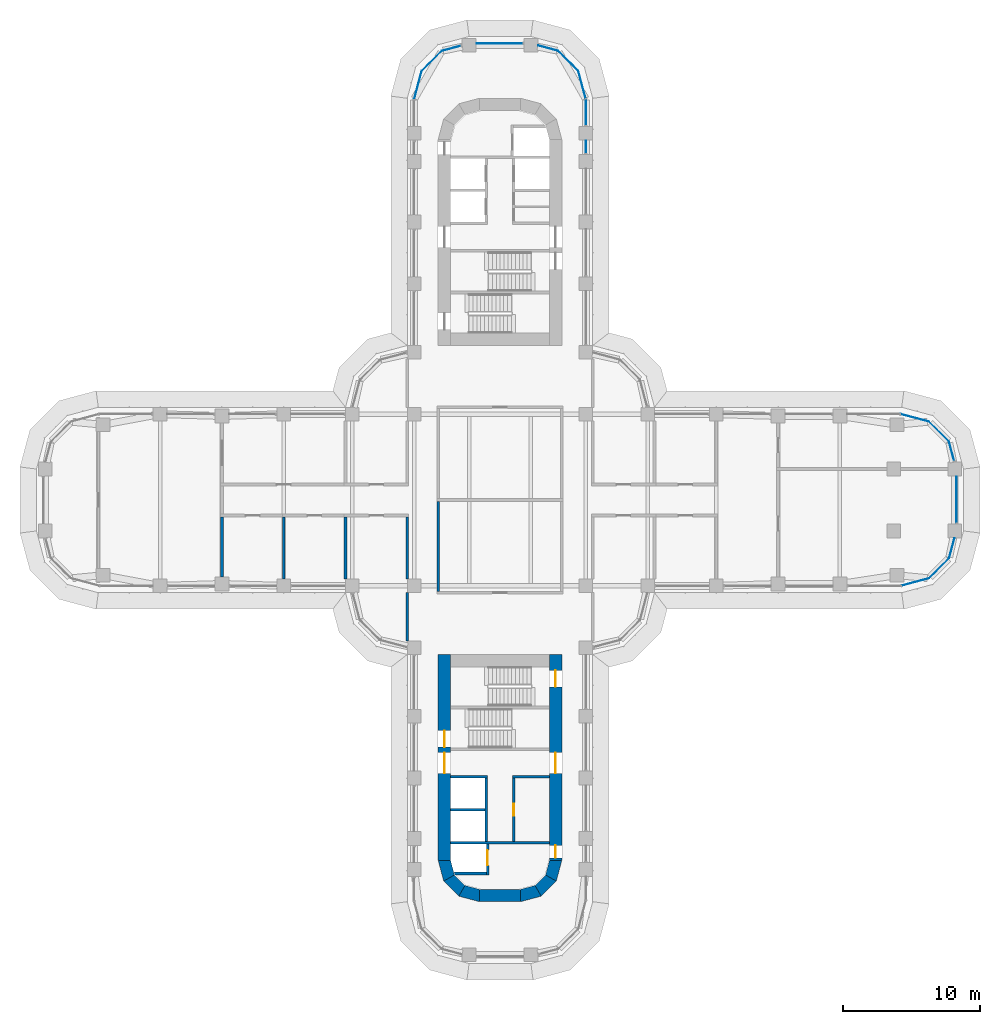
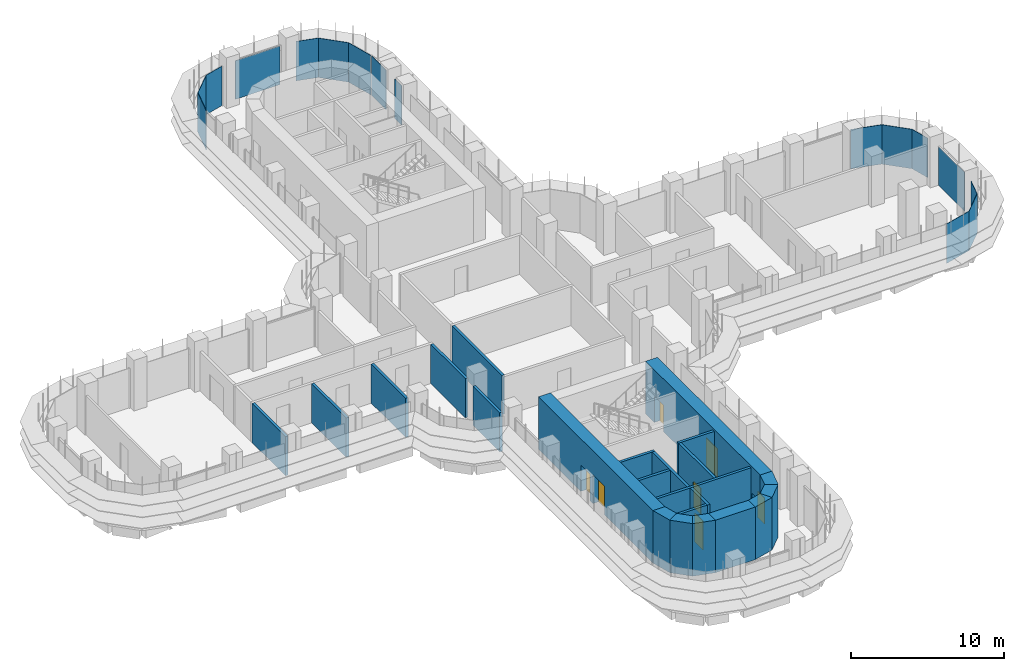
# One storey, part 16 of 23: 23 walls, 16 plates, 7 doors, 7 openings, 15 elements without a shape of their own.
"""IFC4 building model written with IfcOpenShell, lengths in metres."""

from ifc_helpers import new_model, si_unit, direction, frame, frame_2d, origin, place, context, subcontext, project, spatial, polyline, rectangle, outline, extrude, source, transform, mapped, material, layer, layer_set, type_object, element, fill, aggregate, save


model = new_model("IFC4")

# Units and contexts
model_context = context("Model", 3, precision=1e-05, world=origin(), true_north=direction((0.0, 1.0)))
body_context = subcontext(model_context, "Body", "Model", "MODEL_VIEW")
ifc_project = project(units=[si_unit("LENGTHUNIT", "METRE"), si_unit("AREAUNIT", "SQUARE_METRE"), si_unit("VOLUMEUNIT", "CUBIC_METRE"), si_unit("PLANEANGLEUNIT", "RADIAN"), si_unit("MASSUNIT", "GRAM", prefix="KILO")], contexts=[model_context])

# Site, building, storey
site_placement = place(None, origin())
site = spatial("IfcSite", under=ifc_project, at=site_placement, CompositionType="ELEMENT")
building_placement = place(site_placement, origin())
building = spatial("IfcBuilding", under=site, at=building_placement, Name="Zarbagh Exchange Tower", CompositionType="ELEMENT")
storey_placement = place(building_placement, frame((0.0, 0.0, 52.199951171875)))
storey = spatial("IfcBuildingStorey", under=building, at=storey_placement, Name="L11", CompositionType="ELEMENT", Elevation=52.199951171875)

# Curtain wall, plate
ifc_material_1 = material(Name="Anodised aluminium frame and glazing", Category="aluminium")
curtain_wall_type = type_object("IfcCurtainWallType", Name="CWA Ribbon glazing, lower zones", PredefinedType="NOTDEFINED", material=ifc_material_1)
curtain_wall_1_placement = place(storey_placement, origin())
curtain_wall_1 = element("IfcCurtainWall", 1, at=curtain_wall_1_placement, inside=storey, type_object=curtain_wall_type, Name="CWA13 curtain wall", PredefinedType="NOTDEFINED")
ifc_material_2 = material(Name="Low-e double glazed unit, 6+12+6 mm")
ifc_layer_1 = layer(ifc_material_2, 0.028076171875)
ifc_layer_set_1 = layer_set([ifc_layer_1], Name="PAA Glazing panel, Low-e double glazed unit, 6+12+6 mm")
plate_type = type_object("IfcPlateType", Name="PAA Glazing panel, Low-e double glazed unit, 6+12+6 mm", PredefinedType="CURTAIN_PANEL", material=ifc_layer_set_1)
shared_shape_1 = source(origin(), body_context, "Body", "SweptSolid", [
    extrude(outline(polyline([(0.0, -0.013916015625), (1.4423828125, -0.013916015625), (1.4423828125, 0.013916015625), (0.0, 0.013916015625), (0.0, -0.013916015625)])), origin(), (0.0, 0.0, 1.0), 3.14990234375),
])
placement = place(storey_placement, origin())
plate_1 = element("IfcPlate", 2, at=placement, type_object=plate_type, Name="CWA13 glazing panel 1.1", PredefinedType="CURTAIN_PANEL", context=body_context, shape_type="MappedRepresentation", body=[
    mapped(shared_shape_1, transform((33.072021484375, 2.847900390625, 0.0), x_axis=(-0.258824779902, 0.965924289636, 0.0), y_axis=(-0.965924289636, -0.258824779902, 0.0), z_axis=(0.0, 0.0, 1.0))),
])
aggregate(curtain_wall_1, [plate_1])

curtain_wall_2_placement = place(storey_placement, origin())
curtain_wall_2 = element("IfcCurtainWall", 3, at=curtain_wall_2_placement, inside=storey, type_object=curtain_wall_type, Name="CWA25 curtain wall", PredefinedType="NOTDEFINED")
plate_2 = element("IfcPlate", 4, at=placement, type_object=plate_type, Name="CWA25 glazing panel 1.1", PredefinedType="CURTAIN_PANEL", context=body_context, shape_type="MappedRepresentation", body=[
    mapped(shared_shape_1, transform((-2.847900390625, 33.072021484375, 0.0), x_axis=(-0.965924289636, -0.258824779902, 0.0), y_axis=(0.258824779902, -0.965924289636, 0.0), z_axis=(0.0, 0.0, 1.0))),
])
aggregate(curtain_wall_2, [plate_2])

curtain_wall_3_placement = place(storey_placement, origin())
curtain_wall_3 = element("IfcCurtainWall", 5, at=curtain_wall_3_placement, inside=storey, type_object=curtain_wall_type, Name="CWA10 curtain wall", PredefinedType="NOTDEFINED")
shared_shape_2 = source(origin(), body_context, "Body", "SweptSolid", [
    extrude(outline(polyline([(0.0, -0.013916015625), (2.061279296875, -0.013916015625), (2.061279296875, 0.013916015625), (0.0, 0.013916015625), (0.0, -0.013916015625)])), origin(), (0.0, 0.0, 1.0), 3.14990234375),
])
plate_3 = element("IfcPlate", 6, at=placement, type_object=plate_type, Name="CWA10 glazing panel 1.1", PredefinedType="CURTAIN_PANEL", context=body_context, shape_type="MappedRepresentation", body=[
    mapped(shared_shape_2, transform((31.2412109375, -5.69873046875, 0.0), x_axis=(0.707106781187, 0.707106781187, 0.0), y_axis=(-0.707106781187, 0.707106781187, 0.0), z_axis=(0.0, 0.0, 1.0))),
])
aggregate(curtain_wall_3, [plate_3])

curtain_wall_4_placement = place(storey_placement, origin())
curtain_wall_4 = element("IfcCurtainWall", 7, at=curtain_wall_4_placement, inside=storey, type_object=curtain_wall_type, Name="CWA14 curtain wall", PredefinedType="NOTDEFINED")
plate_4 = element("IfcPlate", 8, at=placement, type_object=plate_type, Name="CWA14 glazing panel 1.1", PredefinedType="CURTAIN_PANEL", context=body_context, shape_type="MappedRepresentation", body=[
    mapped(shared_shape_2, transform((32.69873046875, 4.2412109375, 0.0), x_axis=(-0.707106781187, 0.707106781187, 0.0), y_axis=(-0.707106781187, -0.707106781187, 0.0), z_axis=(0.0, 0.0, 1.0))),
])
aggregate(curtain_wall_4, [plate_4])

curtain_wall_5_placement = place(storey_placement, origin())
curtain_wall_5 = element("IfcCurtainWall", 9, at=curtain_wall_5_placement, inside=storey, type_object=curtain_wall_type, Name="CWA22 curtain wall", PredefinedType="NOTDEFINED")
plate_5 = element("IfcPlate", 10, at=placement, type_object=plate_type, Name="CWA22 glazing panel 1.1", PredefinedType="CURTAIN_PANEL", context=body_context, shape_type="MappedRepresentation", body=[
    mapped(shared_shape_2, transform((5.69873046875, 31.2412109375, 0.0), x_axis=(-0.707106781187, 0.707106781187, 0.0), y_axis=(-0.707106781187, -0.707106781187, 0.0), z_axis=(0.0, 0.0, 1.0))),
])
aggregate(curtain_wall_5, [plate_5])

curtain_wall_6_placement = place(storey_placement, origin())
curtain_wall_6 = element("IfcCurtainWall", 11, at=curtain_wall_6_placement, inside=storey, type_object=curtain_wall_type, Name="CWA26 curtain wall", PredefinedType="NOTDEFINED")
plate_6 = element("IfcPlate", 12, at=placement, type_object=plate_type, Name="CWA26 glazing panel 1.1", PredefinedType="CURTAIN_PANEL", context=body_context, shape_type="MappedRepresentation", body=[
    mapped(shared_shape_2, transform((-4.2412109375, 32.69873046875, 0.0), x_axis=(-0.707106781187, -0.707106781187, 0.0), y_axis=(0.707106781187, -0.707106781187, 0.0), z_axis=(0.0, 0.0, 1.0))),
])
aggregate(curtain_wall_6, [plate_6])

curtain_wall_7_placement = place(storey_placement, origin())
curtain_wall_7 = element("IfcCurtainWall", 13, at=curtain_wall_7_placement, inside=storey, type_object=curtain_wall_type, Name="CWA15 curtain wall", PredefinedType="NOTDEFINED")
shared_shape_3 = source(origin(), body_context, "Body", "SweptSolid", [
    extrude(outline(polyline([(0.0, -0.013916015625), (2.129638671875, -0.013916015625), (2.129638671875, 0.013916015625), (0.0, 0.013916015625), (0.0, -0.013916015625)])), origin(), (0.0, 0.0, 1.0), 3.14990234375),
])
plate_7 = element("IfcPlate", 14, at=placement, type_object=plate_type, Name="CWA15 glazing panel 1.1", PredefinedType="CURTAIN_PANEL", context=body_context, shape_type="MappedRepresentation", body=[
    mapped(shared_shape_3, transform((31.2412109375, 5.69873046875, 0.0), x_axis=(-0.965924289636, 0.258824779902, 0.0), y_axis=(-0.258824779902, -0.965924289636, 0.0), z_axis=(0.0, 0.0, 1.0))),
])
aggregate(curtain_wall_7, [plate_7])

curtain_wall_8_placement = place(storey_placement, origin())
curtain_wall_8 = element("IfcCurtainWall", 15, at=curtain_wall_8_placement, inside=storey, type_object=curtain_wall_type, Name="CWA27 curtain wall", PredefinedType="NOTDEFINED")
plate_8 = element("IfcPlate", 16, at=placement, type_object=plate_type, Name="CWA27 glazing panel 1.1", PredefinedType="CURTAIN_PANEL", context=body_context, shape_type="MappedRepresentation", body=[
    mapped(shared_shape_3, transform((-5.69873046875, 31.2412109375, 0.0), x_axis=(-0.258824779902, -0.965924289636, 0.0), y_axis=(0.965924289636, -0.258824779902, 0.0), z_axis=(0.0, 0.0, 1.0))),
])
aggregate(curtain_wall_8, [plate_8])

curtain_wall_9_placement = place(storey_placement, origin())
curtain_wall_9 = element("IfcCurtainWall", 17, at=curtain_wall_9_placement, inside=storey, type_object=curtain_wall_type, Name="CWA09 curtain wall", PredefinedType="NOTDEFINED")
shared_shape_4 = source(origin(), body_context, "Body", "SweptSolid", [
    extrude(outline(polyline([(0.0, -0.013916015625), (2.069580078125, -0.013916015625), (2.069580078125, 0.013916015625), (0.0, 0.013916015625), (0.0, -0.013916015625)])), origin(), (0.0, 0.0, 1.0), 3.14990234375),
])
plate_9 = element("IfcPlate", 18, at=placement, type_object=plate_type, Name="CWA09 glazing panel 1.1", PredefinedType="CURTAIN_PANEL", context=body_context, shape_type="MappedRepresentation", body=[
    mapped(shared_shape_4, transform((29.2421875, -6.234375, 0.0), x_axis=(0.965924289636, 0.258824779902, 0.0), y_axis=(-0.258824779902, 0.965924289636, 0.0), z_axis=(0.0, 0.0, 1.0))),
])
aggregate(curtain_wall_9, [plate_9])

curtain_wall_10_placement = place(storey_placement, origin())
curtain_wall_10 = element("IfcCurtainWall", 19, at=curtain_wall_10_placement, inside=storey, type_object=curtain_wall_type, Name="CWA21 curtain wall", PredefinedType="NOTDEFINED")
plate_10 = element("IfcPlate", 20, at=placement, type_object=plate_type, Name="CWA21 glazing panel 1.1", PredefinedType="CURTAIN_PANEL", context=body_context, shape_type="MappedRepresentation", body=[
    mapped(shared_shape_4, transform((6.234375, 29.2421875, 0.0), x_axis=(-0.258824779902, 0.965924289636, 0.0), y_axis=(-0.965924289636, -0.258824779902, 0.0), z_axis=(0.0, 0.0, 1.0))),
])
aggregate(curtain_wall_10, [plate_10])

curtain_wall_11_placement = place(storey_placement, origin())
curtain_wall_11 = element("IfcCurtainWall", 21, at=curtain_wall_11_placement, inside=storey, type_object=curtain_wall_type, Name="CWA11 curtain wall", PredefinedType="NOTDEFINED")
shared_shape_5 = source(origin(), body_context, "Body", "SweptSolid", [
    extrude(outline(polyline([(0.0, -0.013916015625), (1.50244140625, -0.013916015625), (1.50244140625, 0.013916015625), (0.0, 0.013916015625), (0.0, -0.013916015625)])), origin(), (0.0, 0.0, 1.0), 3.14990234375),
])
plate_11 = element("IfcPlate", 22, at=placement, type_object=plate_type, Name="CWA11 glazing panel 1.1", PredefinedType="CURTAIN_PANEL", context=body_context, shape_type="MappedRepresentation", body=[
    mapped(shared_shape_5, transform((32.69873046875, -4.2412109375, 0.0), x_axis=(0.258824779902, 0.965924289636, 0.0), y_axis=(-0.965924289636, 0.258824779902, 0.0), z_axis=(0.0, 0.0, 1.0))),
])
aggregate(curtain_wall_11, [plate_11])

curtain_wall_12_placement = place(storey_placement, origin())
curtain_wall_12 = element("IfcCurtainWall", 23, at=curtain_wall_12_placement, inside=storey, type_object=curtain_wall_type, Name="CWA23 curtain wall", PredefinedType="NOTDEFINED")
plate_12 = element("IfcPlate", 24, at=placement, type_object=plate_type, Name="CWA23 glazing panel 1.1", PredefinedType="CURTAIN_PANEL", context=body_context, shape_type="MappedRepresentation", body=[
    mapped(shared_shape_5, transform((4.2412109375, 32.69873046875, 0.0), x_axis=(-0.965924289636, 0.258824779902, 0.0), y_axis=(-0.258824779902, -0.965924289636, 0.0), z_axis=(0.0, 0.0, 1.0))),
])
aggregate(curtain_wall_12, [plate_12])

curtain_wall_13_placement = place(storey_placement, origin())
curtain_wall_13 = element("IfcCurtainWall", 25, at=curtain_wall_13_placement, inside=storey, type_object=curtain_wall_type, Name="CWA12 curtain wall", PredefinedType="NOTDEFINED")
shared_shape_6 = source(origin(), body_context, "Body", "SweptSolid", [
    extrude(outline(polyline([(0.0, -0.013916015625), (3.360107421875, -0.013916015625), (3.360107421875, 0.013916015625), (0.0, 0.013916015625), (0.0, -0.013916015625)])), origin(), (0.0, 0.0, 1.0), 3.090087890625),
])
plate_13 = element("IfcPlate", 26, at=placement, type_object=plate_type, Name="CWA12 glazing panel 1.1", PredefinedType="CURTAIN_PANEL", context=body_context, shape_type="MappedRepresentation", body=[
    mapped(shared_shape_6, transform((33.25, -1.64990234375, 0.0), x_axis=(0.0, 1.0, 0.0), y_axis=(-1.0, 0.0, 0.0), z_axis=(0.0, 0.0, 1.0))),
])
aggregate(curtain_wall_13, [plate_13])

curtain_wall_14_placement = place(storey_placement, origin())
curtain_wall_14 = element("IfcCurtainWall", 27, at=curtain_wall_14_placement, inside=storey, type_object=curtain_wall_type, Name="CWA24 curtain wall", PredefinedType="NOTDEFINED")
plate_14 = element("IfcPlate", 28, at=placement, type_object=plate_type, Name="CWA24 glazing panel 1.1", PredefinedType="CURTAIN_PANEL", context=body_context, shape_type="MappedRepresentation", body=[
    mapped(shared_shape_6, transform((1.64990234375, 33.25, 0.0), x_axis=(-1.0, 0.0, 0.0), y_axis=(0.0, -1.0, 0.0), z_axis=(0.0, 0.0, 1.0))),
])
aggregate(curtain_wall_14, [plate_14])

# Curtain wall, plates
curtain_wall_15_placement = place(storey_placement, origin())
curtain_wall_15 = element("IfcCurtainWall", 29, at=curtain_wall_15_placement, inside=storey, type_object=curtain_wall_type, Name="CWA20 curtain wall", PredefinedType="NOTDEFINED")
shared_shape_7 = source(origin(), body_context, "Body", "SweptSolid", [
    extrude(outline(polyline([(0.0, -0.013916015625), (0.909912109375, -0.013916015625), (0.909912109375, 0.013916015625), (0.0, 0.013916015625), (0.0, -0.013916015625)])), origin(), (0.0, 0.0, 1.0), 3.14990234375),
])
plate_15 = element("IfcPlate", 30, at=placement, type_object=plate_type, Name="CWA20 glazing panel 4.1", PredefinedType="CURTAIN_PANEL", context=body_context, shape_type="MappedRepresentation", body=[
    mapped(shared_shape_7, transform((6.25, 25.25, 0.0), x_axis=(0.0, 1.0, 0.0), y_axis=(-1.0, 0.0, 0.0), z_axis=(0.0, 0.0, 1.0))),
])
shared_shape_8 = source(origin(), body_context, "Body", "SweptSolid", [
    extrude(outline(polyline([(0.0, -0.013916015625), (1.884033203125, -0.013916015625), (1.884033203125, 0.013916015625), (0.0, 0.013916015625), (0.0, -0.013916015625)])), origin(), (0.0, 0.0, 1.0), 3.14990234375),
])
plate_16 = element("IfcPlate", 31, at=placement, type_object=plate_type, Name="CWA20 glazing panel 5.1", PredefinedType="CURTAIN_PANEL", context=body_context, shape_type="MappedRepresentation", body=[
    mapped(shared_shape_8, transform((6.25, 27.300048828125, 0.0), x_axis=(0.0, 1.0, 0.0), y_axis=(-1.0, 0.0, 0.0), z_axis=(0.0, 0.0, 1.0))),
])
aggregate(curtain_wall_15, [plate_15, plate_16])

# Walls
ifc_material_3 = material(Name="Fire-rated plasterboard partition")
ifc_layer_2 = layer(ifc_material_3, 0.199951171875)
ifc_layer_set_2 = layer_set([ifc_layer_2], Name="RATED PARTITION 200")
wall_type_1 = type_object("IfcWallType", Name="RATED PARTITION 200", PredefinedType="PARTITIONING", material=ifc_layer_set_2)
wall_1_placement = place(storey_placement, frame((-4.5, -6.64990234375, 0.0), z_axis=(0.0, 0.0, 1.0), x_axis=(0.0, 1.0, 0.0)))
element("IfcWall", 32, at=wall_1_placement, inside=storey, type_object=wall_type_1, Name="Partition W-302", PredefinedType="PARTITIONING", context=body_context, shape_type="SweptSolid", body=[
    extrude(rectangle(XDim=6.5498046875, YDim=0.199951171875, at=frame_2d((3.27490234375, 0.0))), origin(), (0.0, 0.0, 1.0), 3.130615234375),
])
wall_2_placement = place(storey_placement, frame((-6.75, -10.25, 0.0), z_axis=(0.0, 0.0, 1.0), x_axis=(0.0, 1.0, 0.0)))
element("IfcWall", 33, at=wall_2_placement, inside=storey, type_object=wall_type_1, Name="Partition W-305", PredefinedType="PARTITIONING", context=body_context, shape_type="SweptSolid", body=[
    extrude(rectangle(XDim=3.5, YDim=0.199951171875, at=frame_2d((1.75, 0.0))), origin(), (0.0, 0.0, 1.0), 3.130615234375),
])
for number, where, z_axis, x_axis, name in (
    (34, (-6.75, -5.75, 0.0), (0.0, 0.0, 1.0), (0.0, 1.0, 0.0), "Partition W-306"),
    (35, (-11.25, -5.75, 0.0), (0.0, 0.0, 1.0), (0.0, 1.0, 0.0), "Partition W-335"),
    (36, (-15.75, -5.75, 0.0), (0.0, 0.0, 1.0), (0.0, 1.0, 0.0), "Partition W-337"),
):
    element("IfcWall", number, at=place(storey_placement, frame(where, z_axis=z_axis, x_axis=x_axis)), inside=storey, type_object=wall_type_1, Name=name, PredefinedType="PARTITIONING", context=body_context, shape_type="SweptSolid", body=[
        extrude(rectangle(XDim=4.52490234375, YDim=0.199951171875, at=frame_2d((2.262451171875, 0.0))), origin(), (0.0, 0.0, 1.0), 3.130615234375),
    ])
wall_3_placement = place(storey_placement, frame((-20.25, -5.610107421875, 0.0), z_axis=(0.0, 0.0, 1.0), x_axis=(0.0, 1.0, 0.0)))
element("IfcWall", 37, at=wall_3_placement, inside=storey, type_object=wall_type_1, Name="Partition W-338", PredefinedType="PARTITIONING", context=body_context, shape_type="SweptSolid", body=[
    extrude(rectangle(XDim=4.385009765625, YDim=0.199951171875, at=frame_2d((2.1923828125, 0.0))), origin(), (0.0, 0.0, 1.0), 3.130615234375),
])
ifc_material_4 = material(Name="Concrete C60/75", Category="concrete")
ifc_layer_3 = layer(ifc_material_4, 0.89990234375)
ifc_layer_set_3 = layer_set([ifc_layer_3], Name="RC core corner wall 900 C60/75")
wall_type_2 = type_object("IfcWallType", Name="RC core corner wall 900 C60/75", PredefinedType="SHEAR", material=ifc_layer_set_3)
wall_4_placement = place(storey_placement, origin())
element("IfcWall", 38, at=wall_4_placement, inside=storey, type_object=wall_type_2, Name="CW2 core S corner W", PredefinedType="SHEAR", context=body_context, shape_type="SweptSolid", body=[
    extrude(outline(polyline([(-4.5, -26.25), (-4.09814453125, -27.75), (-3.318603515625, -27.300048828125), (-3.60009765625, -26.25), (-4.5, -26.25)])), origin(), (0.0, 0.0, 1.0), 4.199951171875),
])
wall_5_placement = place(storey_placement, origin())
element("IfcWall", 39, at=wall_5_placement, inside=storey, type_object=wall_type_2, Name="CW2 core S corner W", PredefinedType="SHEAR", context=body_context, shape_type="SweptSolid", body=[
    extrude(outline(polyline([(-4.09814453125, -27.75), (-3.0, -28.84814453125), (-2.550048828125, -28.068603515625), (-3.318603515625, -27.300048828125), (-4.09814453125, -27.75)])), origin(), (0.0, 0.0, 1.0), 4.199951171875),
])
wall_6_placement = place(storey_placement, origin())
element("IfcWall", 40, at=wall_6_placement, inside=storey, type_object=wall_type_2, Name="CW2 core S corner W", PredefinedType="SHEAR", context=body_context, shape_type="SweptSolid", body=[
    extrude(outline(polyline([(-3.0, -28.84814453125), (-1.5, -29.25), (-1.5, -28.35009765625), (-2.550048828125, -28.068603515625), (-3.0, -28.84814453125)])), origin(), (0.0, 0.0, 1.0), 4.199951171875),
])
wall_7_placement = place(storey_placement, origin())
element("IfcWall", 41, at=wall_7_placement, inside=storey, type_object=wall_type_2, Name="CW2 core S corner E", PredefinedType="SHEAR", context=body_context, shape_type="SweptSolid", body=[
    extrude(outline(polyline([(4.5, -26.25), (4.09814453125, -27.75), (3.318603515625, -27.300048828125), (3.60009765625, -26.25), (4.5, -26.25)])), origin(), (0.0, 0.0, 1.0), 4.199951171875),
])
wall_8_placement = place(storey_placement, origin())
element("IfcWall", 42, at=wall_8_placement, inside=storey, type_object=wall_type_2, Name="CW2 core S corner E", PredefinedType="SHEAR", context=body_context, shape_type="SweptSolid", body=[
    extrude(outline(polyline([(4.09814453125, -27.75), (3.0, -28.84814453125), (2.550048828125, -28.068603515625), (3.318603515625, -27.300048828125), (4.09814453125, -27.75)])), origin(), (0.0, 0.0, 1.0), 4.199951171875),
])
wall_9_placement = place(storey_placement, origin())
element("IfcWall", 43, at=wall_9_placement, inside=storey, type_object=wall_type_2, Name="CW2 core S corner E", PredefinedType="SHEAR", context=body_context, shape_type="SweptSolid", body=[
    extrude(outline(polyline([(3.0, -28.84814453125), (1.5, -29.25), (1.5, -28.35009765625), (2.550048828125, -28.068603515625), (3.0, -28.84814453125)])), origin(), (0.0, 0.0, 1.0), 4.199951171875),
])

# Wall, openings, doors
ifc_layer_4 = layer(ifc_material_4, 0.89990234375)
ifc_layer_set_4 = layer_set([ifc_layer_4], Name="RC core wall 900 C60/75")
wall_type_3 = type_object("IfcWallType", Name="RC core wall 900 C60/75", PredefinedType="SHEAR", material=ifc_layer_set_4)
wall_10_placement = place(storey_placement, frame((-4.050048828125, -11.25, 0.0), z_axis=(0.0, 0.0, 1.0), x_axis=(0.0, -1.0, 0.0)))
wall_10 = element("IfcWall", 44, at=wall_10_placement, inside=storey, type_object=wall_type_3, Name="CW1 core S W", PredefinedType="SHEAR", context=body_context, shape_type="SweptSolid", body=[
    extrude(rectangle(XDim=15.0, YDim=0.89990234375, at=frame_2d((7.5, 0.0))), origin(), (0.0, 0.0, 1.0), 4.199951171875),
])
opening_1_placement = place(wall_10_placement, frame((7.14990234375, 0.0, 0.0)))
opening_1 = element("IfcOpeningElement", 45, at=opening_1_placement, cuts=wall_10, Name="Opening CD1-1500", PredefinedType="OPENING", context=body_context, shape_type="SweptSolid", body=[
    extrude(rectangle(XDim=1.5, YDim=2.300048828125, at=frame_2d((0.75, 1.14990234375))), frame((0.0, 0.4599609375, 0.0), z_axis=(0.0, -1.0, 0.0), x_axis=(1.0, 0.0, 0.0)), (0.0, 0.0, 1.0), 0.919921875),
])
opening_2_placement = place(wall_10_placement, frame((5.550048828125, 0.0, 0.0)))
opening_2 = element("IfcOpeningElement", 46, at=opening_2_placement, cuts=wall_10, Name="Opening SD1-1200", PredefinedType="OPENING", context=body_context, shape_type="SweptSolid", body=[
    extrude(rectangle(XDim=1.199951171875, YDim=2.10009765625, at=frame_2d((0.60009765625, 1.050048828125))), frame((0.0, 0.4599609375, 0.0), z_axis=(0.0, -1.0, 0.0), x_axis=(1.0, 0.0, 0.0)), (0.0, 0.0, 1.0), 0.919921875),
])
ifc_material_5 = material(Name="Steel", Category="steel")
door_type_1 = type_object("IfcDoorType", Name="Exit stair door 1200 x 2100", OperationType="NOTDEFINED", PredefinedType="DOOR", material=ifc_material_5)
door_1_placement = place(opening_2_placement, origin())
door_1 = element("IfcDoor", 47, at=door_1_placement, inside=storey, type_object=door_type_1, Name="South core stair door ST1", OperationType="SINGLE_SWING_RIGHT", OverallHeight=2.10009765625, OverallWidth=1.199951171875, PredefinedType="DOOR", context=body_context, shape_type="SweptSolid", body=[
    extrude(rectangle(XDim=1.199951171875, YDim=2.10009765625, at=frame_2d((0.60009765625, 1.050048828125))), frame((0.0, 0.02490234375, 0.0), z_axis=(0.0, -1.0, 0.0), x_axis=(1.0, 0.0, 0.0)), (0.0, 0.0, 1.0), 0.050048828125),
])
fill(opening_2, door_1)
door_type_2 = type_object("IfcDoorType", Name="Lift lobby double door 1500 x 2300", OperationType="NOTDEFINED", PredefinedType="DOOR", material=ifc_material_5)
door_2_placement = place(opening_1_placement, origin())
door_2 = element("IfcDoor", 48, at=door_2_placement, inside=storey, type_object=door_type_2, Name="South core lift lobby door LOBBY-E", OperationType="DOUBLE_DOOR_SINGLE_SWING", OverallHeight=2.300048828125, OverallWidth=1.5, PredefinedType="DOOR", context=body_context, shape_type="SweptSolid", body=[
    extrude(rectangle(XDim=1.5, YDim=2.300048828125, at=frame_2d((0.75, 1.14990234375))), frame((0.0, 0.02490234375, 0.0), z_axis=(0.0, -1.0, 0.0), x_axis=(1.0, 0.0, 0.0)), (0.0, 0.0, 1.0), 0.050048828125),
])
fill(opening_1, door_2)

wall_11_placement = place(storey_placement, frame((4.050048828125, -11.25, 0.0), z_axis=(0.0, 0.0, 1.0), x_axis=(0.0, -1.0, 0.0)))
wall_11 = element("IfcWall", 49, at=wall_11_placement, inside=storey, type_object=wall_type_3, Name="CW1 core S E", PredefinedType="SHEAR", context=body_context, shape_type="SweptSolid", body=[
    extrude(rectangle(XDim=15.0, YDim=0.89990234375, at=frame_2d((7.5, 0.0))), origin(), (0.0, 0.0, 1.0), 4.199951171875),
])
opening_3_placement = place(wall_11_placement, frame((7.14990234375, 0.0, 0.0)))
opening_3 = element("IfcOpeningElement", 50, at=opening_3_placement, cuts=wall_11, Name="Opening CD1-1500", PredefinedType="OPENING", context=body_context, shape_type="SweptSolid", body=[
    extrude(rectangle(XDim=1.5, YDim=2.300048828125, at=frame_2d((0.75, 1.14990234375))), frame((0.0, 0.4599609375, 0.0), z_axis=(0.0, -1.0, 0.0), x_axis=(1.0, 0.0, 0.0)), (0.0, 0.0, 1.0), 0.919921875),
])
opening_4_placement = place(wall_11_placement, frame((13.89990234375, 0.0, 0.0)))
opening_4 = element("IfcOpeningElement", 51, at=opening_4_placement, cuts=wall_11, Name="Opening CD2-900", PredefinedType="OPENING", context=body_context, shape_type="SweptSolid", body=[
    extrude(rectangle(XDim=0.89990234375, YDim=2.10009765625, at=frame_2d((0.449951171875, 1.050048828125))), frame((0.0, 0.4599609375, 0.0), z_axis=(0.0, -1.0, 0.0), x_axis=(1.0, 0.0, 0.0)), (0.0, 0.0, 1.0), 0.919921875),
])
opening_5_placement = place(wall_11_placement, frame((1.14990234375, 0.0, 0.0)))
opening_5 = element("IfcOpeningElement", 52, at=opening_5_placement, cuts=wall_11, Name="Opening SD1-1200", PredefinedType="OPENING", context=body_context, shape_type="SweptSolid", body=[
    extrude(rectangle(XDim=1.199951171875, YDim=2.10009765625, at=frame_2d((0.60009765625, 1.050048828125))), frame((0.0, 0.4599609375, 0.0), z_axis=(0.0, -1.0, 0.0), x_axis=(1.0, 0.0, 0.0)), (0.0, 0.0, 1.0), 0.919921875),
])
door_3_placement = place(opening_5_placement, origin())
door_3 = element("IfcDoor", 53, at=door_3_placement, inside=storey, type_object=door_type_1, Name="South core stair door ST2", OperationType="SINGLE_SWING_RIGHT", OverallHeight=2.10009765625, OverallWidth=1.199951171875, PredefinedType="DOOR", context=body_context, shape_type="SweptSolid", body=[
    extrude(rectangle(XDim=1.199951171875, YDim=2.10009765625, at=frame_2d((0.60009765625, 1.050048828125))), frame((0.0, 0.02490234375, 0.0), z_axis=(0.0, -1.0, 0.0), x_axis=(1.0, 0.0, 0.0)), (0.0, 0.0, 1.0), 0.050048828125),
])
fill(opening_5, door_3)
door_type_3 = type_object("IfcDoorType", Name="Firefighting lobby door 900 x 2100", OperationType="NOTDEFINED", PredefinedType="DOOR", material=ifc_material_5)
door_4_placement = place(opening_4_placement, origin())
door_4 = element("IfcDoor", 54, at=door_4_placement, inside=storey, type_object=door_type_3, Name="South core firefighting lobby door FF-W", OperationType="SINGLE_SWING_LEFT", OverallHeight=2.10009765625, OverallWidth=0.89990234375, PredefinedType="DOOR", context=body_context, shape_type="SweptSolid", body=[
    extrude(rectangle(XDim=0.89990234375, YDim=2.10009765625, at=frame_2d((0.449951171875, 1.050048828125))), frame((0.0, 0.02490234375, 0.0), z_axis=(0.0, -1.0, 0.0), x_axis=(1.0, 0.0, 0.0)), (0.0, 0.0, 1.0), 0.050048828125),
])
fill(opening_4, door_4)
door_5_placement = place(opening_3_placement, origin())
door_5 = element("IfcDoor", 55, at=door_5_placement, inside=storey, type_object=door_type_2, Name="South core lift lobby door LOBBY-W", OperationType="DOUBLE_DOOR_SINGLE_SWING", OverallHeight=2.300048828125, OverallWidth=1.5, PredefinedType="DOOR", context=body_context, shape_type="SweptSolid", body=[
    extrude(rectangle(XDim=1.5, YDim=2.300048828125, at=frame_2d((0.75, 1.14990234375))), frame((0.0, 0.02490234375, 0.0), z_axis=(0.0, -1.0, 0.0), x_axis=(1.0, 0.0, 0.0)), (0.0, 0.0, 1.0), 0.050048828125),
])
fill(opening_3, door_5)

# Walls
wall_12_placement = place(storey_placement, frame((-1.5, -28.800048828125, 0.0), z_axis=(0.0, 0.0, 1.0), x_axis=(1.0, 0.0, 0.0)))
element("IfcWall", 56, at=wall_12_placement, inside=storey, type_object=wall_type_3, Name="CW1 core S outer end", PredefinedType="SHEAR", context=body_context, shape_type="SweptSolid", body=[
    extrude(rectangle(XDim=3.0, YDim=0.89990234375, at=frame_2d((1.5, 0.0))), origin(), (0.0, 0.0, 1.0), 4.199951171875),
])
ifc_material_6 = material(Name="Dense blockwork", Category="masonry")
ifc_layer_5 = layer(ifc_material_6, 0.199951171875)
ifc_layer_set_5 = layer_set([ifc_layer_5], Name="Shaft wall 200 mm blockwork")
wall_type_4 = type_object("IfcWallType", Name="Shaft wall 200 mm blockwork", PredefinedType="PARTITIONING", material=ifc_layer_set_5)
wall_13_placement = place(storey_placement, frame((3.60009765625, -20.14990234375, 0.0), z_axis=(0.0, 0.0, 1.0), x_axis=(-1.0, 0.0, 0.0)))
element("IfcWall", 57, at=wall_13_placement, inside=storey, type_object=wall_type_4, Name="South core shaft wall AB-W", PredefinedType="PARTITIONING", context=body_context, shape_type="SweptSolid", body=[
    extrude(rectangle(XDim=2.7001953125, YDim=0.199951171875, at=frame_2d((1.35009765625, 0.0))), origin(), (0.0, 0.0, 1.0), 4.050048828125),
])

# Wall, opening, door
wall_14_placement = place(storey_placement, frame((1.0, -24.85009765625, 0.0), z_axis=(0.0, 0.0, 1.0), x_axis=(0.0, 1.0, 0.0)))
wall_14 = element("IfcWall", 58, at=wall_14_placement, inside=storey, type_object=wall_type_4, Name="South core shaft wall LW-W", PredefinedType="PARTITIONING", context=body_context, shape_type="SweptSolid", body=[
    extrude(rectangle(XDim=4.60009765625, YDim=0.199951171875, at=frame_2d((2.300048828125, 0.0))), origin(), (0.0, 0.0, 1.0), 4.050048828125),
])
opening_6_placement = place(wall_14_placement, frame((1.85009765625, 0.0, 0.0)))
opening_6 = element("IfcOpeningElement", 59, at=opening_6_placement, cuts=wall_14, Name="Opening CD3-900", PredefinedType="OPENING", context=body_context, shape_type="SweptSolid", body=[
    extrude(rectangle(XDim=0.89990234375, YDim=2.10009765625, at=frame_2d((0.449951171875, 1.050048828125))), frame((0.0, 0.10986328125, 0.0), z_axis=(0.0, -1.0, 0.0), x_axis=(1.0, 0.0, 0.0)), (0.0, 0.0, 1.0), 0.219970703125),
])
door_type_4 = type_object("IfcDoorType", Name="Core room door 900 x 2100", OperationType="NOTDEFINED", PredefinedType="DOOR", material=ifc_material_5)
door_6_placement = place(opening_6_placement, origin())
door_6 = element("IfcDoor", 60, at=door_6_placement, inside=storey, type_object=door_type_4, Name="South core Accessible WC door RD-W-0", OperationType="SINGLE_SWING_RIGHT", OverallHeight=2.10009765625, OverallWidth=0.89990234375, PredefinedType="DOOR", context=body_context, shape_type="SweptSolid", body=[
    extrude(rectangle(XDim=0.89990234375, YDim=2.10009765625, at=frame_2d((0.449951171875, 1.050048828125))), frame((0.0, 0.02490234375, 0.0), z_axis=(0.0, -1.0, 0.0), x_axis=(1.0, 0.0, 0.0)), (0.0, 0.0, 1.0), 0.050048828125),
])
fill(opening_6, door_6)

# Walls
wall_15_placement = place(storey_placement, frame((-0.89990234375, -20.14990234375, 0.0), z_axis=(0.0, 0.0, 1.0), x_axis=(-1.0, 0.0, 0.0)))
element("IfcWall", 61, at=wall_15_placement, inside=storey, type_object=wall_type_4, Name="South core shaft wall AB-E", PredefinedType="PARTITIONING", context=body_context, shape_type="SweptSolid", body=[
    extrude(rectangle(XDim=2.7001953125, YDim=0.199951171875, at=frame_2d((1.35009765625, 0.0))), origin(), (0.0, 0.0, 1.0), 4.050048828125),
])
wall_16_placement = place(storey_placement, frame((-1.0, -24.85009765625, 0.0), z_axis=(0.0, 0.0, 1.0), x_axis=(0.0, 1.0, 0.0)))
element("IfcWall", 62, at=wall_16_placement, inside=storey, type_object=wall_type_4, Name="South core shaft wall LW-E", PredefinedType="PARTITIONING", context=body_context, shape_type="SweptSolid", body=[
    extrude(rectangle(XDim=4.60009765625, YDim=0.199951171875, at=frame_2d((2.300048828125, 0.0))), origin(), (0.0, 0.0, 1.0), 4.050048828125),
])
wall_17_placement = place(storey_placement, frame((-1.10009765625, -22.550048828125, 0.0), z_axis=(0.0, 0.0, 1.0), x_axis=(-1.0, 0.0, 0.0)))
element("IfcWall", 63, at=wall_17_placement, inside=storey, type_object=wall_type_4, Name="South core shaft wall TR-E", PredefinedType="PARTITIONING", context=body_context, shape_type="SweptSolid", body=[
    extrude(rectangle(XDim=2.5, YDim=0.199951171875, at=frame_2d((1.25, 0.0))), origin(), (0.0, 0.0, 1.0), 4.050048828125),
])
ifc_material_7 = material(Name="Concrete C40/50", Category="concrete")
ifc_layer_6 = layer(ifc_material_7, 0.199951171875)
ifc_layer_set_6 = layer_set([ifc_layer_6], Name="Stair enclosure wall 200 mm RC C40/50")
wall_type_5 = type_object("IfcWallType", Name="Stair enclosure wall 200 mm RC C40/50", PredefinedType="SHEAR", material=ifc_layer_set_6)
wall_18_placement = place(storey_placement, frame((3.60009765625, -24.949951171875, 0.0), z_axis=(0.0, 0.0, 1.0), x_axis=(-1.0, 0.0, 0.0)))
element("IfcWall", 64, at=wall_18_placement, inside=storey, type_object=wall_type_5, Name="South core lift shaft wall FFA", PredefinedType="SHEAR", context=body_context, shape_type="SweptSolid", body=[
    extrude(rectangle(XDim=7.2001953125, YDim=0.199951171875, at=frame_2d((3.60009765625, 0.0))), origin(), (0.0, 0.0, 1.0), 4.050048828125),
])

# Wall, opening, door
wall_19_placement = place(storey_placement, frame((-0.89990234375, -27.300048828125, 0.0), z_axis=(0.0, 0.0, 1.0), x_axis=(0.0, 1.0, 0.0)))
wall_19 = element("IfcWall", 65, at=wall_19_placement, inside=storey, type_object=wall_type_5, Name="South core lift shaft wall FFL", PredefinedType="SHEAR", context=body_context, shape_type="SweptSolid", body=[
    extrude(rectangle(XDim=2.25, YDim=0.199951171875, at=frame_2d((1.125, 0.0))), origin(), (0.0, 0.0, 1.0), 4.050048828125),
])
opening_7_placement = place(wall_19_placement, frame((0.699951171875, 0.0, 0.0)))
opening_7 = element("IfcOpeningElement", 66, at=opening_7_placement, cuts=wall_19, Name="Opening LD-1100", PredefinedType="OPENING", context=body_context, shape_type="SweptSolid", body=[
    extrude(rectangle(XDim=1.10009765625, YDim=2.300048828125, at=frame_2d((0.550048828125, 1.14990234375))), frame((0.0, 0.10986328125, 0.0), z_axis=(0.0, -1.0, 0.0), x_axis=(1.0, 0.0, 0.0)), (0.0, 0.0, 1.0), 0.219970703125),
])
ifc_material_8 = material(Name="Stainless steel", Category="steel")
door_type_5 = type_object("IfcDoorType", Name="Lift landing door 1100 x 2300", OperationType="NOTDEFINED", PredefinedType="DOOR", material=ifc_material_8)
door_7_placement = place(opening_7_placement, origin())
door_7 = element("IfcDoor", 67, at=door_7_placement, inside=storey, type_object=door_type_5, Name="South core lift landing door LD-F", OperationType="DOUBLE_DOOR_SLIDING", OverallHeight=2.300048828125, OverallWidth=1.10009765625, PredefinedType="DOOR", context=body_context, shape_type="SweptSolid", body=[
    extrude(rectangle(XDim=1.10009765625, YDim=2.300048828125, at=frame_2d((0.550048828125, 1.14990234375))), frame((0.0, 0.02490234375, 0.0), z_axis=(0.0, -1.0, 0.0), x_axis=(1.0, 0.0, 0.0)), (0.0, 0.0, 1.0), 0.050048828125),
])
fill(opening_7, door_7)

# Wall
wall_20_placement = place(storey_placement, origin())
element("IfcWall", 68, at=wall_20_placement, inside=storey, type_object=wall_type_5, Name="South core lift shaft wall FFX", PredefinedType="SHEAR", context=body_context, shape_type="SweptSolid", body=[
    extrude(outline(polyline([(-1.0, -27.10009765625), (-3.340576171875, -27.10009765625), (-3.291259765625, -27.2841796875), (-3.275390625, -27.300048828125), (-1.0, -27.300048828125), (-1.0, -27.10009765625)])), origin(), (0.0, 0.0, 1.0), 4.050048828125),
])

save(model, "model.ifc")
